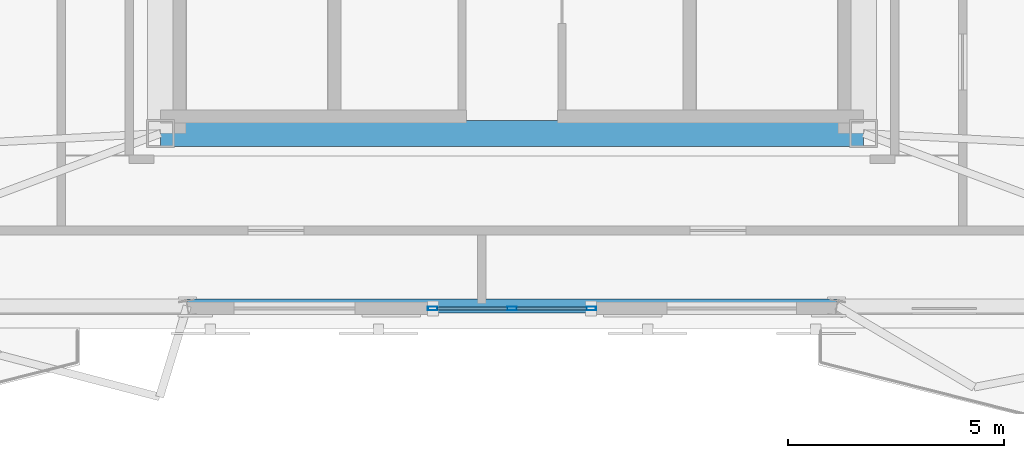
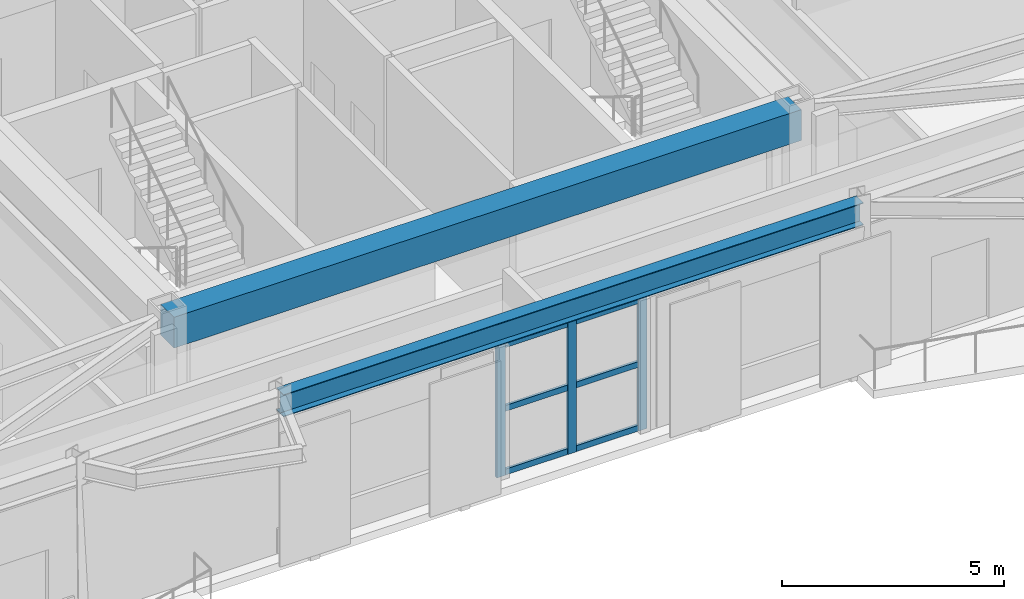
# One storey, part 2 of 16: 9 members, 2 beams, 1 element without a shape of its own.
"""IFC4 building model written with IfcOpenShell, lengths in metres."""

from ifc_helpers import new_model, si_unit, direction, frame, origin, origin_2d, place, context, subcontext, project, spatial, rectangle, hollow_rectangle, i_section, extrude, material, layer, layer_set, material_profile, profile_set, type_object, element, aggregate, save


model = new_model("IFC4")

# Units and contexts
model_context = context("Model", 3, precision=1e-05, world=origin(), true_north=direction((0.0, 1.0)))
body_context = subcontext(model_context, "Body", "Model", "MODEL_VIEW")
ifc_project = project(units=[si_unit("LENGTHUNIT", "METRE"), si_unit("AREAUNIT", "SQUARE_METRE"), si_unit("VOLUMEUNIT", "CUBIC_METRE"), si_unit("PLANEANGLEUNIT", "RADIAN"), si_unit("MASSUNIT", "GRAM", prefix="KILO")], contexts=[model_context])

# Site, building, storey
site_placement = place(None, origin())
site = spatial("IfcSite", under=ifc_project, at=site_placement, CompositionType="ELEMENT")
building_placement = place(site_placement, origin())
building = spatial("IfcBuilding", under=site, at=building_placement, Name="Oramaril Tower", CompositionType="ELEMENT")
storey_placement = place(building_placement, frame((0.0, 0.0, 296.699951171875)))
storey = spatial("IfcBuildingStorey", under=building, at=storey_placement, Name="L78", CompositionType="ELEMENT", Elevation=296.699951171875)

# Beams
ifc_material_1 = material(Name="Concrete C50/60", Category="concrete")
ifc_material_profile_1 = material_profile(ifc_material_1, rectangle(XDim=0.60009765625, YDim=0.85009765625, at=origin_2d()), Name="CB600X850")
ifc_profile_set_1 = profile_set([ifc_material_profile_1], Name="Concrete C50/60")
beam_type_1 = type_object("IfcBeamType", Name="BT-CB2", PredefinedType="BEAM", material=ifc_profile_set_1)
beam_1_placement = place(storey_placement, frame((29.35009765625, 11.0, 3.85498046875), z_axis=(1.0, 0.0, 0.0), x_axis=(0.0, 1.0, 0.0)))
element("IfcBeam", 1, at=beam_1_placement, inside=storey, type_object=beam_type_1, Name="L78 Core Header Beam CB-1", PredefinedType="BEAM", context=body_context, shape_type="SweptSolid", body=[
    extrude(rectangle(XDim=0.60009765625, YDim=0.85009765625, at=origin_2d()), origin(), (0.0, 0.0, 1.0), 16.2998046875),
])
ifc_material_2 = material(Name="Steel ASTM A572 Gr 50", Category="steel")
ifc_material_profile_2 = material_profile(ifc_material_2, i_section(OverallWidth=0.324951171875, OverallDepth=0.612060546875, WebThickness=0.0126953125, FlangeThickness=0.01904296875, at=origin_2d()), Name="W24X104")
ifc_profile_set_2 = profile_set([ifc_material_profile_2], Name="Steel ASTM A572 Gr 50")
beam_type_2 = type_object("IfcBeamType", Name="BT-SP5", PredefinedType="SPANDREL", material=ifc_profile_set_2)
beam_2_placement = place(storey_placement, frame((29.968505859375, 6.997802734375, 3.97412109375), z_axis=(1.0, 0.0, 0.0), x_axis=(0.0, 1.0, 0.0)))
element("IfcBeam", 2, at=beam_2_placement, inside=storey, type_object=beam_type_2, Name="L78 Perimeter Spandrel 04", PredefinedType="SPANDREL", context=body_context, shape_type="SweptSolid", body=[
    extrude(i_section(OverallWidth=0.324951171875, OverallDepth=0.612060546875, WebThickness=0.0126953125, FlangeThickness=0.01904296875, at=origin_2d()), origin(), (0.0, 0.0, 1.0), 15.06298828125),
])

# Curtain wall, members
ifc_material_3 = material(Name="Anodised Aluminium 6063-T6", Category="aluminium")
ifc_layer = layer(ifc_material_3, 0.219970703125)
ifc_layer_set = layer_set([ifc_layer], Name="CWT-SYS5")
curtain_wall_type = type_object("IfcCurtainWallType", Name="CWT-SYS5", PredefinedType="NOTDEFINED", material=ifc_layer_set)
curtain_wall_placement = place(storey_placement, origin())
curtain_wall = element("IfcCurtainWall", 3, at=curtain_wall_placement, inside=storey, type_object=curtain_wall_type, Name="L78 Unitised Curtain Wall CW-5", PredefinedType="NOTDEFINED")
ifc_material_4 = material(Name="Anodised Aluminium 6063-T6", Category="aluminium")
ifc_material_profile_3 = material_profile(ifc_material_4, hollow_rectangle(XDim=0.080078125, YDim=0.219970703125, WallThickness=0.00390625, at=origin_2d()), Name="CWM220X80")
ifc_profile_set_3 = profile_set([ifc_material_profile_3], Name="Anodised Aluminium 6063-T6")
member_type_1 = type_object("IfcMemberType", Name="MT-CWM1", PredefinedType="MULLION", material=ifc_profile_set_3)
member_1_placement = place(storey_placement, frame((35.659912109375, 6.94140625, 0.0), z_axis=(0.0, 0.0, 1.0), x_axis=(0.0, 1.0, 0.0)))
member_1 = element("IfcMember", 4, at=member_1_placement, type_object=member_type_1, Name="CW-5 mullion 1", PredefinedType="MULLION", context=body_context, shape_type="SweptSolid", body=[
    extrude(hollow_rectangle(XDim=0.080078125, YDim=0.219970703125, WallThickness=0.00390625, at=origin_2d()), origin(), (0.0, 0.0, 1.0), 3.657958984375),
])
member_2_placement = place(storey_placement, frame((37.5, 6.94140625, 0.0), z_axis=(0.0, 0.0, 1.0), x_axis=(0.0, 1.0, 0.0)))
member_2 = element("IfcMember", 5, at=member_2_placement, type_object=member_type_1, Name="CW-5 mullion 2", PredefinedType="MULLION", context=body_context, shape_type="SweptSolid", body=[
    extrude(hollow_rectangle(XDim=0.080078125, YDim=0.219970703125, WallThickness=0.00390625, at=origin_2d()), origin(), (0.0, 0.0, 1.0), 3.657958984375),
])
member_3_placement = place(storey_placement, frame((39.340087890625, 6.94140625, 0.0), z_axis=(0.0, 0.0, 1.0), x_axis=(0.0, 1.0, 0.0)))
member_3 = element("IfcMember", 6, at=member_3_placement, type_object=member_type_1, Name="CW-5 mullion 3", PredefinedType="MULLION", context=body_context, shape_type="SweptSolid", body=[
    extrude(hollow_rectangle(XDim=0.080078125, YDim=0.219970703125, WallThickness=0.00390625, at=origin_2d()), origin(), (0.0, 0.0, 1.0), 3.657958984375),
])
ifc_material_5 = material(Name="Anodised Aluminium 6063-T6", Category="aluminium")
ifc_material_profile_4 = material_profile(ifc_material_5, hollow_rectangle(XDim=0.070068359375, YDim=0.159912109375, WallThickness=0.00390625, at=origin_2d()), Name="CWT160X70")
ifc_profile_set_4 = profile_set([ifc_material_profile_4], Name="Anodised Aluminium 6063-T6")
member_type_2 = type_object("IfcMemberType", Name="MT-CWT1", PredefinedType="USERDEFINED", material=ifc_profile_set_4)
member_4_placement = place(storey_placement, frame((35.77001953125, 6.94140625, 0.080078125), z_axis=(1.0, 0.0, 0.0), x_axis=(0.0, 1.0, 0.0)))
member_4 = element("IfcMember", 7, at=member_4_placement, type_object=member_type_2, Name="CW-5 transom 1.1", ObjectType="TRANSOM", PredefinedType="USERDEFINED", context=body_context, shape_type="SweptSolid", body=[
    extrude(hollow_rectangle(XDim=0.070068359375, YDim=0.159912109375, WallThickness=0.00390625, at=origin_2d()), origin(), (0.0, 0.0, 1.0), 1.619873046875),
])
member_5_placement = place(storey_placement, frame((35.77001953125, 6.94140625, 1.8291015625), z_axis=(1.0, 0.0, 0.0), x_axis=(0.0, 1.0, 0.0)))
member_5 = element("IfcMember", 8, at=member_5_placement, type_object=member_type_2, Name="CW-5 transom 1.2", ObjectType="TRANSOM", PredefinedType="USERDEFINED", context=body_context, shape_type="SweptSolid", body=[
    extrude(hollow_rectangle(XDim=0.070068359375, YDim=0.159912109375, WallThickness=0.00390625, at=origin_2d()), origin(), (0.0, 0.0, 1.0), 1.619873046875),
])
member_6_placement = place(storey_placement, frame((35.77001953125, 6.94140625, 3.578125), z_axis=(1.0, 0.0, 0.0), x_axis=(0.0, 1.0, 0.0)))
member_6 = element("IfcMember", 9, at=member_6_placement, type_object=member_type_2, Name="CW-5 transom 1.3", ObjectType="TRANSOM", PredefinedType="USERDEFINED", context=body_context, shape_type="SweptSolid", body=[
    extrude(hollow_rectangle(XDim=0.070068359375, YDim=0.159912109375, WallThickness=0.00390625, at=origin_2d()), origin(), (0.0, 0.0, 1.0), 1.619873046875),
])
member_7_placement = place(storey_placement, frame((37.610107421875, 6.94140625, 0.080078125), z_axis=(1.0, 0.0, 0.0), x_axis=(0.0, 1.0, 0.0)))
member_7 = element("IfcMember", 10, at=member_7_placement, type_object=member_type_2, Name="CW-5 transom 2.1", ObjectType="TRANSOM", PredefinedType="USERDEFINED", context=body_context, shape_type="SweptSolid", body=[
    extrude(hollow_rectangle(XDim=0.070068359375, YDim=0.159912109375, WallThickness=0.00390625, at=origin_2d()), origin(), (0.0, 0.0, 1.0), 1.619873046875),
])
member_8_placement = place(storey_placement, frame((37.610107421875, 6.94140625, 1.8291015625), z_axis=(1.0, 0.0, 0.0), x_axis=(0.0, 1.0, 0.0)))
member_8 = element("IfcMember", 11, at=member_8_placement, type_object=member_type_2, Name="CW-5 transom 2.2", ObjectType="TRANSOM", PredefinedType="USERDEFINED", context=body_context, shape_type="SweptSolid", body=[
    extrude(hollow_rectangle(XDim=0.070068359375, YDim=0.159912109375, WallThickness=0.00390625, at=origin_2d()), origin(), (0.0, 0.0, 1.0), 1.619873046875),
])
member_9_placement = place(storey_placement, frame((37.610107421875, 6.94140625, 3.578125), z_axis=(1.0, 0.0, 0.0), x_axis=(0.0, 1.0, 0.0)))
member_9 = element("IfcMember", 12, at=member_9_placement, type_object=member_type_2, Name="CW-5 transom 2.3", ObjectType="TRANSOM", PredefinedType="USERDEFINED", context=body_context, shape_type="SweptSolid", body=[
    extrude(hollow_rectangle(XDim=0.070068359375, YDim=0.159912109375, WallThickness=0.00390625, at=origin_2d()), origin(), (0.0, 0.0, 1.0), 1.619873046875),
])
aggregate(curtain_wall, [member_1, member_2, member_3, member_4, member_5, member_6, member_7, member_8, member_9])

save(model, "model.ifc")
